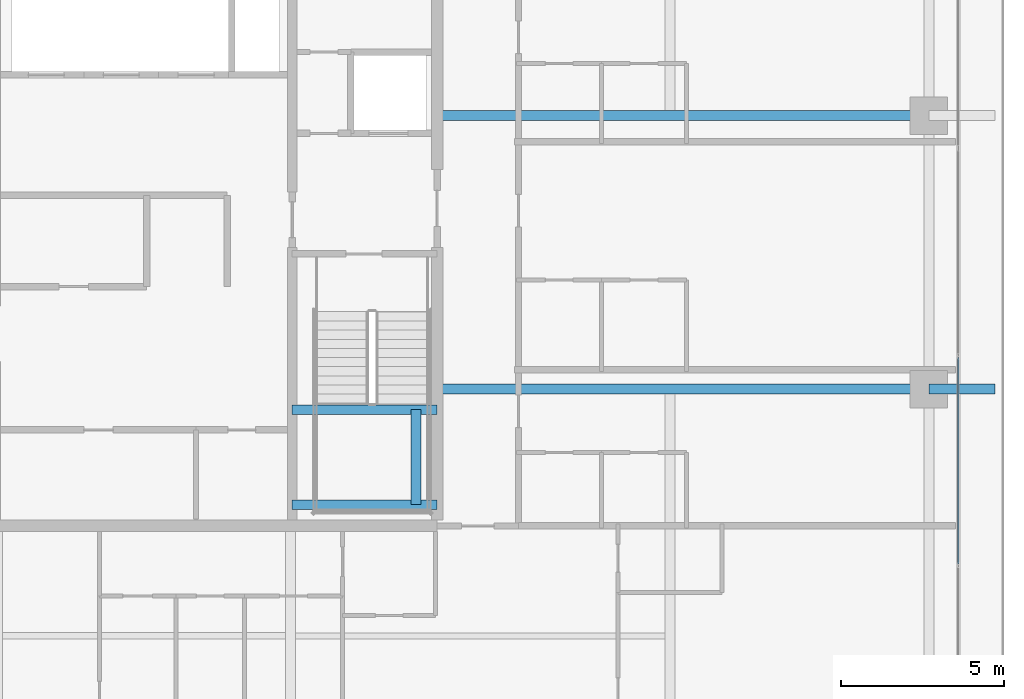
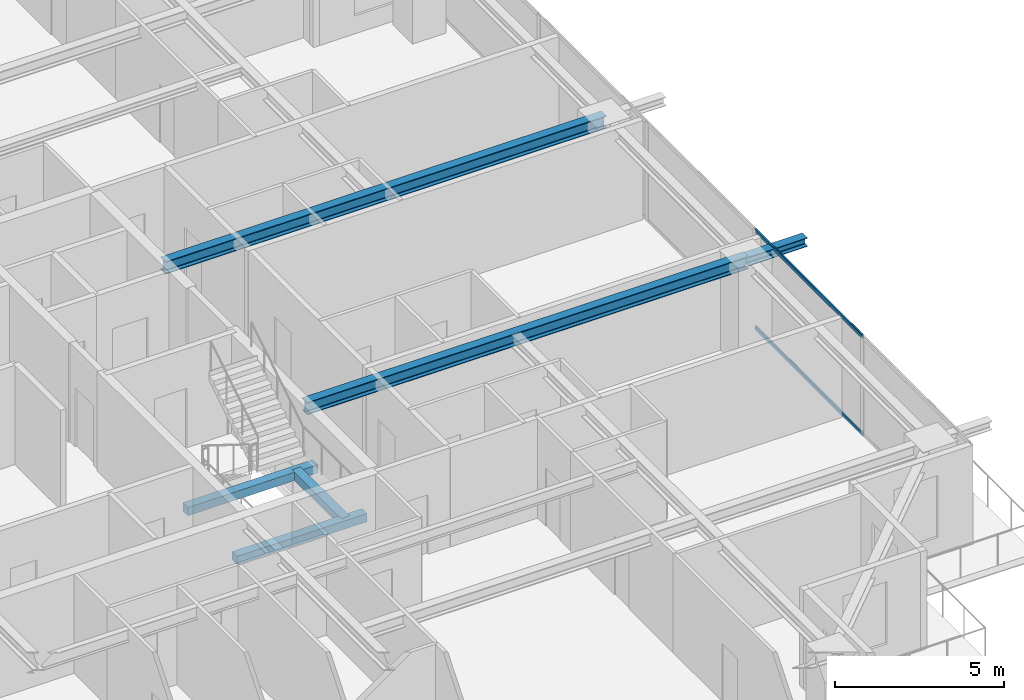
# One storey, part 15 of 40: 6 beams, 2 members, 1 element without a shape of its own.
"""IFC4 building model written with IfcOpenShell, lengths in metres."""

import ifcopenshell
import ifcopenshell.guid

model = None  # the IFC model being written
_history = None  # IfcOwnerHistory: only IFC2X3 demands one
_inside = {}  # id of a spatial element -> (the spatial element, [elements in it])
_under = {}  # id of a project, library or spatial element -> (it, [spatial elements below it])
_declared = {}  # id of a project -> (the project, [libraries it declares])
_typed = {}  # id of a type object -> (the type object, [elements of that type])
_made_of = {}  # id of a material, layer set ... -> (it, [elements and type objects made of it])


def new_model(schema):
    """Start an empty IFC model of exactly this schema.

    Asked for "IFC4X3", IfcOpenShell would pick the latest addendum, in which some entities
    have other attributes; the version numbers below select the first issue.
    IFC2X3 requires an IfcOwnerHistory on every rooted entity: one is made here for all.
    """
    global model, _history
    if schema == "IFC4X3":
        model = ifcopenshell.file(schema_version=(4, 3, 0, 0))
    else:
        model = ifcopenshell.file(schema=schema)
    _inside.clear()
    _under.clear()
    _declared.clear()
    _typed.clear()
    _made_of.clear()
    _history = None
    if model.schema == "IFC2X3":
        org = make("IfcOrganization", Name="unknown")
        user = make(
            "IfcPersonAndOrganization",
            ThePerson=make("IfcPerson", FamilyName="unknown"),
            TheOrganization=org,
        )
        app = make(
            "IfcApplication",
            ApplicationDeveloper=org,
            Version="unknown",
            ApplicationFullName="unknown",
            ApplicationIdentifier="unknown",
        )
        _history = make(
            "IfcOwnerHistory",
            OwningUser=user,
            OwningApplication=app,
            ChangeAction="ADDED",
            CreationDate=0,
        )
    return model


def make(cls, **values):
    """One entity of the class cls with the attributes given. An attribute that is None is left unset."""
    return model.create_entity(
        cls, **{name: value for name, value in values.items() if value is not None}
    )


def rooted(cls, **values):
    """An entity with a GlobalId (a new one), such as an element, a storey or a relation."""
    return make(cls, GlobalId=ifcopenshell.guid.new(), OwnerHistory=_history, **values)


def si_unit(unit_type, name, prefix=None):
    """IfcSIUnit, for example si_unit("LENGTHUNIT", "METRE", prefix="MILLI")."""
    return make("IfcSIUnit", UnitType=unit_type, Prefix=prefix, Name=name)


def assignment(units):
    """IfcUnitAssignment: the units of a project."""
    return None if units is None else make("IfcUnitAssignment", Units=units)


def point(xyz):
    """IfcCartesianPoint."""
    return None if xyz is None else make("IfcCartesianPoint", Coordinates=xyz)


def direction(xyz):
    """IfcDirection."""
    return None if xyz is None else make("IfcDirection", DirectionRatios=xyz)


def frame(location, z_axis=None, x_axis=None):
    """IfcAxis2Placement3D, a coordinate frame: its origin and axes. An axis left out is left unset."""
    return make(
        "IfcAxis2Placement3D",
        Location=point(location),
        Axis=direction(z_axis),
        RefDirection=direction(x_axis),
    )


def frame_2d(location, x_axis=None):
    """IfcAxis2Placement2D, a coordinate frame in the plane: its origin and x axis."""
    return make(
        "IfcAxis2Placement2D", Location=point(location), RefDirection=direction(x_axis)
    )


def origin():
    """The frame at (0, 0, 0) with its axes left unset."""
    return frame((0.0, 0.0, 0.0))


def origin_2d():
    """The frame at (0, 0) in the plane with its x axis left unset."""
    return frame_2d((0.0, 0.0))


def place(relative_to, where):
    """IfcLocalPlacement: puts the frame where relative to a parent placement (None: the world)."""
    return make(
        "IfcLocalPlacement", PlacementRelTo=relative_to, RelativePlacement=where
    )


def context(
    kind, dimensions, precision=None, world=None, true_north=None, identifier=None
):
    """IfcGeometricRepresentationContext, for example the 3D "Model" context."""
    return make(
        "IfcGeometricRepresentationContext",
        ContextIdentifier=identifier,
        ContextType=kind,
        CoordinateSpaceDimension=dimensions,
        Precision=precision,
        WorldCoordinateSystem=world,
        TrueNorth=true_north,
    )


def subcontext(parent, identifier, kind, view, scale=None):
    """IfcGeometricRepresentationSubContext, for example "Body" below "Model"."""
    return make(
        "IfcGeometricRepresentationSubContext",
        ContextIdentifier=identifier,
        ContextType=kind,
        ParentContext=parent,
        TargetScale=scale,
        TargetView=view,
    )


def project(units=None, contexts=None):
    """IfcProject with its units and contexts."""
    return rooted(
        "IfcProject",
        Name="project",
        RepresentationContexts=contexts,
        UnitsInContext=assignment(units),
    )


def spatial(cls, under=None, at=None, **own):
    """A site, building, storey or space (cls), placed at a placement, below another one or the project."""
    s = rooted(cls, ObjectPlacement=at, **own)
    if under is not None:
        _under.setdefault(under.id(), (under, []))[1].append(s)
    return s


def profile(cls, at=None, kind="AREA", **sizes):
    """A parametric profile (cls). Its sizes go by their IFC names, for example OverallWidth=200.0."""
    return make(cls, ProfileType=kind, Position=at, **sizes)


def rectangle(**sizes):
    """IfcRectangleProfileDef."""
    return profile("IfcRectangleProfileDef", **sizes)


def hollow_rectangle(**sizes):
    """IfcRectangleHollowProfileDef."""
    return profile("IfcRectangleHollowProfileDef", **sizes)


def i_section(**sizes):
    """IfcIShapeProfileDef."""
    return profile("IfcIShapeProfileDef", **sizes)


def extrude(swept, where, along, depth):
    """IfcExtrudedAreaSolid: the profile swept, set in the frame where, extruded along a direction by depth."""
    return make(
        "IfcExtrudedAreaSolid",
        SweptArea=swept,
        Position=where,
        ExtrudedDirection=direction(along),
        Depth=depth,
    )


def shape(context_of_items, identifier, shape_type, items):
    """IfcShapeRepresentation: the items that make up one representation, for example the "Body"."""
    return make(
        "IfcShapeRepresentation",
        ContextOfItems=context_of_items,
        RepresentationIdentifier=identifier,
        RepresentationType=shape_type,
        Items=items,
    )


def source(mapping_origin, context_of_items, identifier, shape_type, items):
    """IfcRepresentationMap: a shape defined once, which mapped items show again and again."""
    return make(
        "IfcRepresentationMap",
        MappingOrigin=mapping_origin,
        MappedRepresentation=shape(context_of_items, identifier, shape_type, items),
    )


def transform(
    local_origin,
    x_axis=None,
    y_axis=None,
    z_axis=None,
    scale=None,
    scale2=None,
    scale3=None,
    uniform=True,
):
    """IfcCartesianTransformationOperator3D, or its non-uniform kind. x_axis, y_axis, z_axis: its Axis1, 2, 3."""
    if uniform:
        return make(
            "IfcCartesianTransformationOperator3D",
            Axis1=direction(x_axis),
            Axis2=direction(y_axis),
            LocalOrigin=point(local_origin),
            Scale=scale,
            Axis3=direction(z_axis),
        )
    return make(
        "IfcCartesianTransformationOperator3DnonUniform",
        Axis1=direction(x_axis),
        Axis2=direction(y_axis),
        LocalOrigin=point(local_origin),
        Scale=scale,
        Axis3=direction(z_axis),
        Scale2=scale2,
        Scale3=scale3,
    )


def mapped(mapping_source, mapping_target):
    """IfcMappedItem: shows the shape of a source again, moved by a transform."""
    return make(
        "IfcMappedItem", MappingSource=mapping_source, MappingTarget=mapping_target
    )


def material(Name=None, Category=None):
    """IfcMaterial."""
    return make("IfcMaterial", Name=Name, Category=Category)


def layer(
    of_material, thickness, ventilated=None, Name=None, Category=None, Priority=None
):
    """IfcMaterialLayer: one layer of a wall or slab, of a material (None: an air gap)."""
    return make(
        "IfcMaterialLayer",
        Material=of_material,
        LayerThickness=thickness,
        IsVentilated=ventilated,
        Name=Name,
        Category=Category,
        Priority=Priority,
    )


def layer_set(layers, Name=None):
    """IfcMaterialLayerSet."""
    return make("IfcMaterialLayerSet", MaterialLayers=layers, LayerSetName=Name)


def material_profile(
    of_material, cross_section, Name=None, Category=None, Priority=None
):
    """IfcMaterialProfile: a cross section and its material."""
    return make(
        "IfcMaterialProfile",
        Name=Name,
        Material=of_material,
        Profile=cross_section,
        Priority=Priority,
        Category=Category,
    )


def profile_set(profiles, Name=None, composite=None):
    """IfcMaterialProfileSet."""
    return make(
        "IfcMaterialProfileSet",
        Name=Name,
        MaterialProfiles=profiles,
        CompositeProfile=composite,
    )


def made_of(thing, what):
    """Note that an element or type object is made of a material, layer set ...; save() writes the relation."""
    if what is not None:
        _made_of.setdefault(what.id(), (what, []))[1].append(thing)
    return thing


def type_object(cls, material=None, **own):
    """A type object (cls), such as IfcWallType, which elements share."""
    return made_of(rooted(cls, **own), material)


def element(
    cls,
    number,
    at=None,
    inside=None,
    cuts=None,
    type_object=None,
    material=None,
    context=None,
    identifier="Body",
    shape_type=None,
    held_by="IfcProductDefinitionShape",
    body=None,
    shapes=None,
    **own,
):
    """One element of the class cls, such as IfcWall. Its Tag is "e" and its number.

    at: its placement. inside: the storey or other place that contains it. cuts: it is an
    opening in that element (IfcRelVoidsElement). A single representation is given by context,
    identifier, shape_type and body (its items); several are given by shapes. held_by: the class
    of the entity that holds the representations. save() writes the other relations.
    """
    e = rooted(cls, Tag="e%d" % number, ObjectPlacement=at, **own)
    if body is not None:
        shapes = [shape(context, identifier, shape_type, body)]
    if shapes is not None:
        e.Representation = make(held_by, Representations=shapes)
    if inside is not None:
        _inside.setdefault(inside.id(), (inside, []))[1].append(e)
    if cuts is not None:
        rooted(
            "IfcRelVoidsElement", RelatingBuildingElement=cuts, RelatedOpeningElement=e
        )
    if type_object is not None:
        _typed.setdefault(type_object.id(), (type_object, []))[1].append(e)
    return made_of(e, material)


def aggregate(whole, parts):
    """IfcRelAggregates: a whole, such as a stair, and the parts it consists of."""
    return rooted("IfcRelAggregates", RelatingObject=whole, RelatedObjects=parts)


def save(model, path):
    """Write the relations noted so far, then the file.

    IfcRelAggregates (storeys below a building ...), IfcRelContainedInSpatialStructure (elements
    in a storey), IfcRelDefinesByType, IfcRelAssociatesMaterial and IfcRelDeclares: one each for
    every whole, place, type object, material and project.
    """
    for whole, parts in _under.values():
        aggregate(whole, parts)
    for where, things in _inside.values():
        rooted(
            "IfcRelContainedInSpatialStructure",
            RelatedElements=things,
            RelatingStructure=where,
        )
    for kind, things in _typed.values():
        rooted("IfcRelDefinesByType", RelatedObjects=things, RelatingType=kind)
    for what, things in _made_of.values():
        rooted("IfcRelAssociatesMaterial", RelatedObjects=things, RelatingMaterial=what)
    for by, libraries in _declared.values():
        rooted("IfcRelDeclares", RelatingContext=by, RelatedDefinitions=libraries)
    model.write(path)


model = new_model("IFC4")

# Units and contexts
model_context = context("Model", 3, precision=1e-05, world=origin(), true_north=direction((0.0, 1.0)))
body_context = subcontext(model_context, "Body", "Model", "MODEL_VIEW")
ifc_project = project(units=[si_unit("LENGTHUNIT", "METRE"), si_unit("AREAUNIT", "SQUARE_METRE"), si_unit("VOLUMEUNIT", "CUBIC_METRE"), si_unit("PLANEANGLEUNIT", "RADIAN"), si_unit("MASSUNIT", "GRAM", prefix="KILO")], contexts=[model_context])

# Site, building, storey
site_placement = place(None, origin())
site = spatial("IfcSite", under=ifc_project, at=site_placement, CompositionType="ELEMENT")
building_placement = place(site_placement, origin())
building = spatial("IfcBuilding", under=site, at=building_placement, Name="Serunith Strait Residences", CompositionType="ELEMENT")
storey_placement = place(building_placement, frame((0.0, 0.0, 252.800048828125)))
storey = spatial("IfcBuildingStorey", under=building, at=storey_placement, Name="L63", CompositionType="ELEMENT", Elevation=252.800048828125)

# Beams
ifc_material_1 = material(Name="Steel S355J2", Category="steel")
ifc_material_profile_1 = material_profile(ifc_material_1, i_section(OverallWidth=0.300048828125, OverallDepth=0.449951171875, WebThickness=0.013916015625, FlangeThickness=0.02587890625, FilletRadius=0.027099609375, at=origin_2d()), Name="HEB 450")
ifc_profile_set_1 = profile_set([ifc_material_profile_1], Name="Steel S355J2")
beam_type_1 = type_object("IfcBeamType", Name="BM-HEB450", PredefinedType="BEAM", material=ifc_profile_set_1)
shared_shape_1 = source(origin(), body_context, "Body", "SweptSolid", [
    extrude(i_section(OverallWidth=0.300048828125, OverallDepth=0.449951171875, WebThickness=0.013916015625, FlangeThickness=0.02587890625, FilletRadius=0.027099609375, at=origin_2d()), origin(), (0.0, 0.0, 1.0), 15.10009765625),
])
for number, where, z_axis, x_axis, name in (
    (1, (41.39990234375, 21.0, 3.362060546875), (1.0, 0.0, 0.0), (0.0, 1.0, 0.0), "L63 Primary Floor Girder TC-E2"),
    (2, (41.39990234375, 29.39990234375, 3.362060546875), (1.0, 0.0, 0.0), (0.0, 1.0, 0.0), "L63 Primary Floor Girder TC-E3"),
):
    element("IfcBeam", number, at=place(storey_placement, frame(where, z_axis=z_axis, x_axis=x_axis)), inside=storey, type_object=beam_type_1, Name=name, PredefinedType="BEAM", context=body_context, shape_type="MappedRepresentation", body=[
        mapped(shared_shape_1, transform((0.0, 0.0, 0.0), scale=1.0)),
    ])
ifc_material_profile_2 = material_profile(ifc_material_1, i_section(OverallWidth=0.300048828125, OverallDepth=0.320068359375, WebThickness=0.011474609375, FlangeThickness=0.0205078125, FilletRadius=0.027099609375, at=origin_2d()), Name="HEB 320")
ifc_profile_set_2 = profile_set([ifc_material_profile_2], Name="Steel S355J2")
beam_type_2 = type_object("IfcBeamType", Name="BM-HEB320", PredefinedType="BEAM", material=ifc_profile_set_2)
shared_shape_2 = source(origin(), body_context, "Body", "SweptSolid", [
    extrude(i_section(OverallWidth=0.300048828125, OverallDepth=0.320068359375, WebThickness=0.011474609375, FlangeThickness=0.0205078125, FilletRadius=0.027099609375, at=origin_2d()), origin(), (0.0, 0.0, 1.0), 2.030029296875),
])
beam_1_placement = place(storey_placement, frame((56.5, 21.0, 3.39697265625), z_axis=(1.0, 0.0, 0.0), x_axis=(0.0, 1.0, 0.0)))
element("IfcBeam", 3, at=beam_1_placement, inside=storey, type_object=beam_type_2, Name="L64 Cantilevered Balcony Rib TC-E2", PredefinedType="BEAM", context=body_context, shape_type="MappedRepresentation", body=[
    mapped(shared_shape_2, transform((0.0, 0.0, 0.0), scale=1.0)),
])
ifc_material_2 = material(Name="Concrete C60/75", Category="concrete")
ifc_material_profile_3 = material_profile(ifc_material_2, rectangle(XDim=0.300048828125, YDim=0.300048828125, at=origin_2d()), Name="RC 300x300")
ifc_profile_set_3 = profile_set([ifc_material_profile_3], Name="Concrete C60/75")
beam_type_3 = type_object("IfcBeamType", Name="BM-LAND-300x300", PredefinedType="BEAM", material=ifc_profile_set_3)
shared_shape_3 = source(origin(), body_context, "Body", "SweptSolid", [
    extrude(rectangle(XDim=0.300048828125, YDim=0.300048828125, at=origin_2d()), origin(), (0.0, 0.0, 1.0), 4.449951171875),
])
for number, where, z_axis, x_axis, name in (
    (4, (36.949951171875, 17.449951171875, 1.574951171875), (1.0, 0.0, 0.0), (0.0, 1.0, 0.0), "L63 ST-2 Landing Support Beam 1"),
    (5, (36.949951171875, 20.3701171875, 1.574951171875), (1.0, 0.0, 0.0), (0.0, 1.0, 0.0), "L63 ST-2 Landing Support Beam 2"),
):
    element("IfcBeam", number, at=place(storey_placement, frame(where, z_axis=z_axis, x_axis=x_axis)), inside=storey, type_object=beam_type_3, Name=name, PredefinedType="BEAM", context=body_context, shape_type="MappedRepresentation", body=[
        mapped(shared_shape_3, transform((0.0, 0.0, 0.0), scale=1.0)),
    ])
shared_shape_4 = source(origin(), body_context, "Body", "SweptSolid", [
    extrude(rectangle(XDim=0.300048828125, YDim=0.300048828125, at=origin_2d()), origin(), (0.0, 0.0, 1.0), 2.920166015625),
])
beam_2_placement = place(storey_placement, frame((40.75, 17.449951171875, 1.574951171875), z_axis=(0.0, 1.0, 0.0), x_axis=(-1.0, 0.0, 0.0)))
element("IfcBeam", 6, at=beam_2_placement, inside=storey, type_object=beam_type_3, Name="L63 ST-2 Landing Transverse Tie Beam", PredefinedType="BEAM", context=body_context, shape_type="MappedRepresentation", body=[
    mapped(shared_shape_4, transform((0.0, 0.0, 0.0), scale=1.0)),
])

# Curtain wall, members
ifc_material_3 = material(Name="Pale-Champagne Anodised Aluminium", Category="aluminium")
ifc_layer = layer(ifc_material_3, 0.199951171875, Name="Pale-Champagne Anodised Aluminium")
ifc_layer_set = layer_set([ifc_layer], Name="Pale-Champagne Anodised Aluminium")
curtain_wall_type = type_object("IfcCurtainWallType", Name="CW-SYS4", PredefinedType="NOTDEFINED", material=ifc_layer_set)
curtain_wall_placement = place(storey_placement, origin())
curtain_wall = element("IfcCurtainWall", 7, at=curtain_wall_placement, inside=storey, type_object=curtain_wall_type, Name="L63 E Unitised Fritted Curtain Wall", PredefinedType="NOTDEFINED")
ifc_material_profile_4 = material_profile(ifc_material_3, hollow_rectangle(XDim=0.06005859375, YDim=0.139892578125, WallThickness=0.00341796875, InnerFilletRadius=0.00537109375, OuterFilletRadius=0.0087890625, at=origin_2d()), Name="ALU 140x60x3.5")
ifc_profile_set_4 = profile_set([ifc_material_profile_4], Name="Pale-Champagne Anodised Aluminium")
member_type = type_object("IfcMemberType", Name="CW-SYS4-TRAN", PredefinedType="USERDEFINED", material=ifc_profile_set_4)
shared_shape_5 = source(origin(), body_context, "Body", "SweptSolid", [
    extrude(hollow_rectangle(XDim=0.06005859375, YDim=0.139892578125, WallThickness=0.00341796875, InnerFilletRadius=0.00537109375, OuterFilletRadius=0.0087890625, at=origin_2d()), origin(), (0.0, 0.0, 1.0), 6.3349609375),
])
member_1_placement = place(storey_placement, frame((57.39990234375, 15.632568359375, 0.030029296875), z_axis=(0.0, 1.0, 0.0), x_axis=(-1.0, 0.0, 0.0)))
member_1 = element("IfcMember", 8, at=member_1_placement, type_object=member_type, Name="CW-4 transom 2.1", ObjectType="TRANSOM", PredefinedType="USERDEFINED", context=body_context, shape_type="MappedRepresentation", body=[
    mapped(shared_shape_5, transform((0.0, 0.0, 0.0), scale=1.0)),
])
member_2_placement = place(storey_placement, frame((57.39990234375, 15.632568359375, 3.544921875), z_axis=(0.0, 1.0, 0.0), x_axis=(-1.0, 0.0, 0.0)))
member_2 = element("IfcMember", 9, at=member_2_placement, type_object=member_type, Name="CW-4 transom 2.2", ObjectType="TRANSOM", PredefinedType="USERDEFINED", context=body_context, shape_type="MappedRepresentation", body=[
    mapped(shared_shape_5, transform((0.0, 0.0, 0.0), scale=1.0)),
])
aggregate(curtain_wall, [member_1, member_2])

save(model, "model.ifc")
